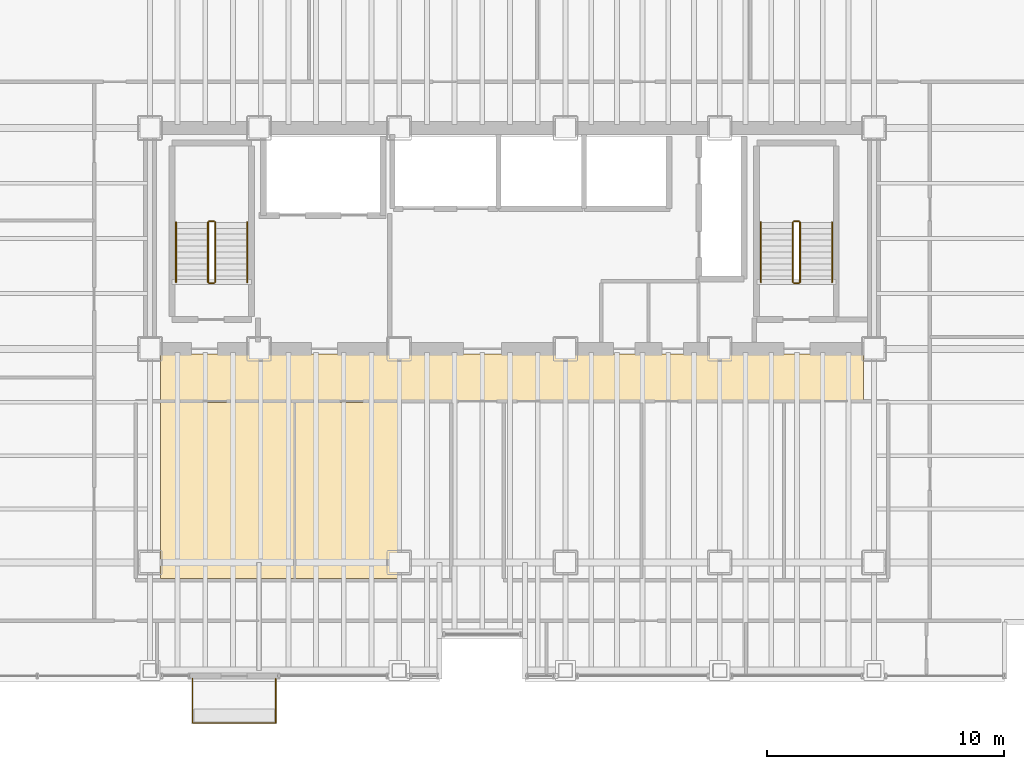
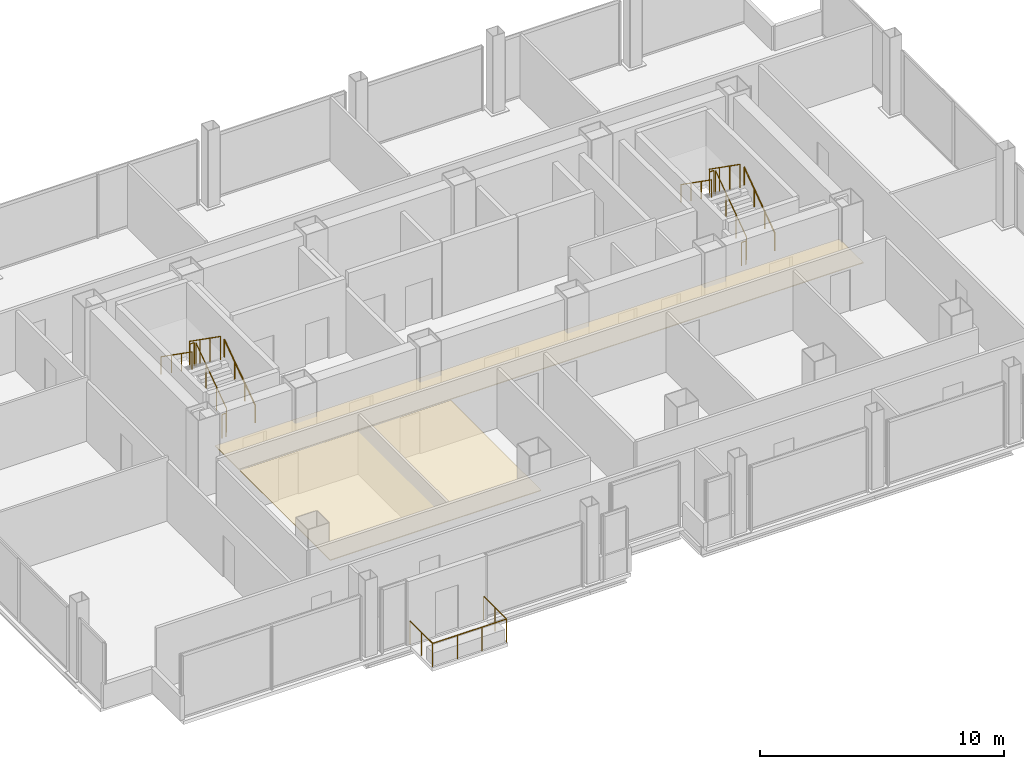
# One storey, part 21 of 21: 13 railings, 2 coverings.
"""IFC4 building model written with IfcOpenShell, lengths in metres."""

from ifc_helpers import new_model, si_unit, direction, frame, origin, origin_2d, place, context, subcontext, project, spatial, polyline, circle, outline, extrude, material, layer, layer_set, type_object, element, save


model = new_model("IFC4")

# Units and contexts
model_context = context("Model", 3, precision=1e-05, world=origin(), true_north=direction((0.0, 1.0)))
body_context = subcontext(model_context, "Body", "Model", "MODEL_VIEW")
ifc_project = project(units=[si_unit("LENGTHUNIT", "METRE"), si_unit("AREAUNIT", "SQUARE_METRE"), si_unit("VOLUMEUNIT", "CUBIC_METRE"), si_unit("PLANEANGLEUNIT", "RADIAN"), si_unit("MASSUNIT", "GRAM", prefix="KILO")], contexts=[model_context])

# Site, building, storey
site_placement = place(None, origin())
site = spatial("IfcSite", under=ifc_project, at=site_placement, CompositionType="ELEMENT")
building_placement = place(site_placement, origin())
building = spatial("IfcBuilding", under=site, at=building_placement, Name="Noeulbin Bourse Tower", CompositionType="ELEMENT")
storey_placement = place(building_placement, frame((0.0, 0.0, 34.300048828125)))
storey = spatial("IfcBuildingStorey", under=building, at=storey_placement, Name="L08", CompositionType="ELEMENT", Elevation=34.300048828125)

# Coverings
ifc_material_1 = material(Name="Perforated Mineral-Fibre Acoustic Tile")
ifc_layer_1 = layer(ifc_material_1, 0.0400390625)
ifc_layer_set_1 = layer_set([ifc_layer_1], Name="Perforated Mineral-Fibre Acoustic Tile")
covering_type = type_object("IfcCoveringType", Name="COV-CEIL-ACT", PredefinedType="CEILING", material=ifc_layer_set_1)
covering_1_placement = place(storey_placement, frame((0.0, 0.0, 2.10986328125)))
element("IfcCovering", 1, at=covering_1_placement, inside=storey, type_object=covering_type, Name="Corridor Suspended Ceiling L08", PredefinedType="CEILING", context=body_context, shape_type="SweptSolid", body=[
    extrude(outline(polyline([(13.949951171875, 26.820068359375), (43.550048828125, 26.820068359375), (43.550048828125, 28.780029296875), (13.949951171875, 28.780029296875), (13.949951171875, 26.820068359375)])), origin(), (0.0, 0.0, 1.0), 0.0400390625),
])
covering_2_placement = place(storey_placement, frame((0.0, 0.0, 2.10986328125)))
element("IfcCovering", 2, at=covering_2_placement, inside=storey, type_object=covering_type, Name="Trading Suite Acoustic Ceiling L08", PredefinedType="CEILING", context=body_context, shape_type="SweptSolid", body=[
    extrude(outline(polyline([(13.949951171875, 19.320068359375), (23.949951171875, 19.320068359375), (23.949951171875, 26.75), (13.949951171875, 26.75), (13.949951171875, 19.320068359375)])), origin(), (0.0, 0.0, 1.0), 0.0400390625),
])

# Railings
ifc_material_2 = material(Name="Laminated SentryGlas and Stainless Steel 316", Category="steel")
ifc_layer_2 = layer(ifc_material_2, 0.06005859375)
ifc_layer_set_2 = layer_set([ifc_layer_2], Name="Laminated SentryGlas and Stainless Steel 316")
railing_type_1 = type_object("IfcRailingType", Name="RLG-BAL-1200", PredefinedType="BALUSTRADE", material=ifc_layer_set_2)
railing_1_placement = place(storey_placement, frame((15.300048828125, 15.1201171875, 0.0)))
element("IfcRailing", 3, at=railing_1_placement, inside=storey, type_object=railing_type_1, Name="Tree-Balcony Glazed Balustrade L08", PredefinedType="BALUSTRADE", context=body_context, shape_type="SweptSolid", body=[
    extrude(circle(Radius=0.02392578125, at=origin_2d()), frame((0.0, 0.0, 1.17578125), z_axis=(0.0, -1.0, 0.0), x_axis=(1.0, 0.0, 0.0)), (0.0, 0.0, 1.0), 1.8701171875),
    extrude(circle(Radius=0.02392578125, at=origin_2d()), frame((0.0, -1.8701171875, 1.17578125), z_axis=(1.0, 0.0, 0.0), x_axis=(0.0, 1.0, 0.0)), (0.0, 0.0, 1.0), 3.5),
    extrude(circle(Radius=0.02392578125, at=origin_2d()), frame((3.5, -1.8701171875, 1.17578125), z_axis=(0.0, 1.0, 0.0), x_axis=(-1.0, 0.0, 0.0)), (0.0, 0.0, 1.0), 1.8701171875),
    extrude(circle(Radius=0.02099609375, at=origin_2d()), origin(), (0.0, 0.0, 1.0), 1.15185546875),
    extrude(circle(Radius=0.02099609375, at=origin_2d()), frame((0.0, -0.93505859375, 0.0)), (0.0, 0.0, 1.0), 1.15185546875),
    extrude(circle(Radius=0.02099609375, at=origin_2d()), frame((0.0, -1.8701171875, 0.0)), (0.0, 0.0, 1.0), 1.15185546875),
    extrude(circle(Radius=0.02099609375, at=origin_2d()), frame((1.166748046875, -1.8701171875, 0.0)), (0.0, 0.0, 1.0), 1.15185546875),
    extrude(circle(Radius=0.02099609375, at=origin_2d()), frame((2.333251953125, -1.8701171875, 0.0)), (0.0, 0.0, 1.0), 1.15185546875),
    extrude(circle(Radius=0.02099609375, at=origin_2d()), frame((3.5, -1.8701171875, 0.0)), (0.0, 0.0, 1.0), 1.15185546875),
    extrude(circle(Radius=0.02099609375, at=origin_2d()), frame((3.5, -0.93505859375, 0.0)), (0.0, 0.0, 1.0), 1.15185546875),
    extrude(circle(Radius=0.02099609375, at=origin_2d()), frame((3.5, 0.0, 0.0)), (0.0, 0.0, 1.0), 1.15185546875),
])
ifc_material_3 = material(Name="Painted Tubular Steel S355", Category="steel")
ifc_layer_3 = layer(ifc_material_3, 0.048095703125)
ifc_layer_set_3 = layer_set([ifc_layer_3], Name="Painted Tubular Steel S355")
railing_type_2 = type_object("IfcRailingType", Name="RLG-STR-GRD", PredefinedType="GUARDRAIL", material=ifc_layer_set_3)
railing_2_placement = place(storey_placement, frame((16.25, 31.81005859375, 0.17724609375)))
element("IfcRailing", 4, at=railing_2_placement, inside=storey, type_object=railing_type_2, Name="L08 ST-1 stair guard 1", PredefinedType="GUARDRAIL", context=body_context, shape_type="SweptSolid", body=[
    extrude(circle(Radius=0.02392578125, at=origin_2d()), frame((0.0, 0.0, 1.17578125), z_axis=(0.0, 0.817904474719, 0.575354039036), x_axis=(-1.0, 0.0, 0.0)), (0.0, 0.0, 1.0), 3.0810546875),
    extrude(circle(Radius=0.02099609375, at=origin_2d()), origin(), (0.0, 0.0, 1.0), 1.15185546875),
    extrude(circle(Radius=0.02099609375, at=origin_2d()), frame((0.0, 0.840087890625, 0.5908203125)), (0.0, 0.0, 1.0), 1.15185546875),
    extrude(circle(Radius=0.02099609375, at=origin_2d()), frame((0.0, 1.679931640625, 1.181884765625)), (0.0, 0.0, 1.0), 1.15185546875),
    extrude(circle(Radius=0.02099609375, at=origin_2d()), frame((0.0, 2.52001953125, 1.772705078125)), (0.0, 0.0, 1.0), 1.15185546875),
])
railing_3_placement = place(storey_placement, frame((16.199951171875, 34.3798828125, 1.949951171875)))
element("IfcRailing", 5, at=railing_3_placement, inside=storey, type_object=railing_type_2, Name="L08 ST-1 stair guard 2", PredefinedType="GUARDRAIL", context=body_context, shape_type="SweptSolid", body=[
    extrude(circle(Radius=0.02392578125, at=origin_2d()), frame((0.0, 0.0, 1.17578125), z_axis=(-1.0, 0.0, 0.0), x_axis=(0.0, -1.0, 0.0)), (0.0, 0.0, 1.0), 0.199951171875),
    extrude(circle(Radius=0.02099609375, at=origin_2d()), origin(), (0.0, 0.0, 1.0), 1.15185546875),
    extrude(circle(Radius=0.02099609375, at=origin_2d()), frame((-0.199951171875, 0.0, 0.0)), (0.0, 0.0, 1.0), 1.15185546875),
])
railing_4_placement = place(storey_placement, frame((15.949951171875, 34.330078125, 2.127197265625)))
element("IfcRailing", 6, at=railing_4_placement, inside=storey, type_object=railing_type_2, Name="L08 ST-1 stair guard 3", PredefinedType="GUARDRAIL", context=body_context, shape_type="SweptSolid", body=[
    extrude(circle(Radius=0.02392578125, at=origin_2d()), frame((0.0, 0.0, 1.17578125), z_axis=(0.0, -0.817904474719, 0.575354039036), x_axis=(1.0, 0.0, 0.0)), (0.0, 0.0, 1.0), 3.0810546875),
    extrude(circle(Radius=0.02099609375, at=origin_2d()), origin(), (0.0, 0.0, 1.0), 1.15185546875),
    extrude(circle(Radius=0.02099609375, at=origin_2d()), frame((0.0, -0.840087890625, 0.5908203125)), (0.0, 0.0, 1.0), 1.15185546875),
    extrude(circle(Radius=0.02099609375, at=origin_2d()), frame((0.0, -1.679931640625, 1.181884765625)), (0.0, 0.0, 1.0), 1.15185546875),
    extrude(circle(Radius=0.02099609375, at=origin_2d()), frame((0.0, -2.52001953125, 1.772705078125)), (0.0, 0.0, 1.0), 1.15185546875),
])
railing_5_placement = place(storey_placement, frame((16.199951171875, 31.760009765625, 0.0)))
element("IfcRailing", 7, at=railing_5_placement, inside=storey, type_object=railing_type_2, Name="L08 ST-1 stair guard 4", PredefinedType="GUARDRAIL", context=body_context, shape_type="SweptSolid", body=[
    extrude(circle(Radius=0.02392578125, at=origin_2d()), frame((0.0, 0.0, 1.17578125), z_axis=(-1.0, 0.0, 0.0), x_axis=(0.0, -1.0, 0.0)), (0.0, 0.0, 1.0), 0.199951171875),
    extrude(circle(Radius=0.02099609375, at=origin_2d()), origin(), (0.0, 0.0, 1.0), 1.15185546875),
    extrude(circle(Radius=0.02099609375, at=origin_2d()), frame((-0.199951171875, 0.0, 0.0)), (0.0, 0.0, 1.0), 1.15185546875),
])
railing_6_placement = place(storey_placement, frame((40.8798828125, 31.81005859375, 0.17724609375)))
element("IfcRailing", 8, at=railing_6_placement, inside=storey, type_object=railing_type_2, Name="L08 ST-2 stair guard 1", PredefinedType="GUARDRAIL", context=body_context, shape_type="SweptSolid", body=[
    extrude(circle(Radius=0.02392578125, at=origin_2d()), frame((0.0, 0.0, 1.17578125), z_axis=(0.0, 0.817904474719, 0.575354039036), x_axis=(-1.0, 0.0, 0.0)), (0.0, 0.0, 1.0), 3.0810546875),
    extrude(circle(Radius=0.02099609375, at=origin_2d()), origin(), (0.0, 0.0, 1.0), 1.15185546875),
    extrude(circle(Radius=0.02099609375, at=origin_2d()), frame((0.0, 0.840087890625, 0.5908203125)), (0.0, 0.0, 1.0), 1.15185546875),
    extrude(circle(Radius=0.02099609375, at=origin_2d()), frame((0.0, 1.679931640625, 1.181884765625)), (0.0, 0.0, 1.0), 1.15185546875),
    extrude(circle(Radius=0.02099609375, at=origin_2d()), frame((0.0, 2.52001953125, 1.772705078125)), (0.0, 0.0, 1.0), 1.15185546875),
])
railing_7_placement = place(storey_placement, frame((40.830078125, 34.3798828125, 1.949951171875)))
element("IfcRailing", 9, at=railing_7_placement, inside=storey, type_object=railing_type_2, Name="L08 ST-2 stair guard 2", PredefinedType="GUARDRAIL", context=body_context, shape_type="SweptSolid", body=[
    extrude(circle(Radius=0.02392578125, at=origin_2d()), frame((0.0, 0.0, 1.17578125), z_axis=(-1.0, 0.0, 0.0), x_axis=(0.0, -1.0, 0.0)), (0.0, 0.0, 1.0), 0.2001953125),
    extrude(circle(Radius=0.02099609375, at=origin_2d()), origin(), (0.0, 0.0, 1.0), 1.15185546875),
    extrude(circle(Radius=0.02099609375, at=origin_2d()), frame((-0.2001953125, 0.0, 0.0)), (0.0, 0.0, 1.0), 1.15185546875),
])
railing_8_placement = place(storey_placement, frame((40.580078125, 34.330078125, 2.127197265625)))
element("IfcRailing", 10, at=railing_8_placement, inside=storey, type_object=railing_type_2, Name="L08 ST-2 stair guard 3", PredefinedType="GUARDRAIL", context=body_context, shape_type="SweptSolid", body=[
    extrude(circle(Radius=0.02392578125, at=origin_2d()), frame((0.0, 0.0, 1.17578125), z_axis=(0.0, -0.817904474719, 0.575354039036), x_axis=(1.0, 0.0, 0.0)), (0.0, 0.0, 1.0), 3.0810546875),
    extrude(circle(Radius=0.02099609375, at=origin_2d()), origin(), (0.0, 0.0, 1.0), 1.15185546875),
    extrude(circle(Radius=0.02099609375, at=origin_2d()), frame((0.0, -0.840087890625, 0.5908203125)), (0.0, 0.0, 1.0), 1.15185546875),
    extrude(circle(Radius=0.02099609375, at=origin_2d()), frame((0.0, -1.679931640625, 1.181884765625)), (0.0, 0.0, 1.0), 1.15185546875),
    extrude(circle(Radius=0.02099609375, at=origin_2d()), frame((0.0, -2.52001953125, 1.772705078125)), (0.0, 0.0, 1.0), 1.15185546875),
])
railing_9_placement = place(storey_placement, frame((40.830078125, 31.760009765625, 0.0)))
element("IfcRailing", 11, at=railing_9_placement, inside=storey, type_object=railing_type_2, Name="L08 ST-2 stair guard 4", PredefinedType="GUARDRAIL", context=body_context, shape_type="SweptSolid", body=[
    extrude(circle(Radius=0.02392578125, at=origin_2d()), frame((0.0, 0.0, 1.17578125), z_axis=(-1.0, 0.0, 0.0), x_axis=(0.0, -1.0, 0.0)), (0.0, 0.0, 1.0), 0.2001953125),
    extrude(circle(Radius=0.02099609375, at=origin_2d()), origin(), (0.0, 0.0, 1.0), 1.15185546875),
    extrude(circle(Radius=0.02099609375, at=origin_2d()), frame((-0.2001953125, 0.0, 0.0)), (0.0, 0.0, 1.0), 1.15185546875),
])
ifc_material_4 = material(Name="Brushed Stainless Steel 316", Category="steel")
ifc_layer_4 = layer(ifc_material_4, 0.048095703125)
ifc_layer_set_4 = layer_set([ifc_layer_4], Name="Brushed Stainless Steel 316")
railing_type_3 = type_object("IfcRailingType", Name="RLG-STR-HND", PredefinedType="HANDRAIL", material=ifc_layer_set_4)
railing_10_placement = place(storey_placement, frame((17.60009765625, 31.81005859375, 0.17724609375)))
element("IfcRailing", 12, at=railing_10_placement, inside=storey, type_object=railing_type_3, Name="L08 ST-1 stair handrail 1", PredefinedType="HANDRAIL", context=body_context, shape_type="SweptSolid", body=[
    extrude(circle(Radius=0.02392578125, at=origin_2d()), frame((0.0, 0.0, 0.8759765625), z_axis=(0.0, 0.817904474719, 0.575354039036), x_axis=(-1.0, 0.0, 0.0)), (0.0, 0.0, 1.0), 3.0810546875),
    extrude(circle(Radius=0.02099609375, at=origin_2d()), origin(), (0.0, 0.0, 1.0), 0.851806640625),
    extrude(circle(Radius=0.02099609375, at=origin_2d()), frame((0.0, 0.840087890625, 0.5908203125)), (0.0, 0.0, 1.0), 0.851806640625),
    extrude(circle(Radius=0.02099609375, at=origin_2d()), frame((0.0, 1.679931640625, 1.181884765625)), (0.0, 0.0, 1.0), 0.851806640625),
    extrude(circle(Radius=0.02099609375, at=origin_2d()), frame((0.0, 2.52001953125, 1.772705078125)), (0.0, 0.0, 1.0), 0.851806640625),
])
railing_11_placement = place(storey_placement, frame((14.60009765625, 34.330078125, 2.127197265625)))
element("IfcRailing", 13, at=railing_11_placement, inside=storey, type_object=railing_type_3, Name="L08 ST-1 stair handrail 2", PredefinedType="HANDRAIL", context=body_context, shape_type="SweptSolid", body=[
    extrude(circle(Radius=0.02392578125, at=origin_2d()), frame((0.0, 0.0, 0.8759765625), z_axis=(0.0, -0.817904474719, 0.575354039036), x_axis=(1.0, 0.0, 0.0)), (0.0, 0.0, 1.0), 3.0810546875),
    extrude(circle(Radius=0.02099609375, at=origin_2d()), origin(), (0.0, 0.0, 1.0), 0.851806640625),
    extrude(circle(Radius=0.02099609375, at=origin_2d()), frame((0.0, -0.840087890625, 0.5908203125)), (0.0, 0.0, 1.0), 0.851806640625),
    extrude(circle(Radius=0.02099609375, at=origin_2d()), frame((0.0, -1.679931640625, 1.181884765625)), (0.0, 0.0, 1.0), 0.851806640625),
    extrude(circle(Radius=0.02099609375, at=origin_2d()), frame((0.0, -2.52001953125, 1.772705078125)), (0.0, 0.0, 1.0), 0.851806640625),
])
railing_12_placement = place(storey_placement, frame((42.22998046875, 31.81005859375, 0.17724609375)))
element("IfcRailing", 14, at=railing_12_placement, inside=storey, type_object=railing_type_3, Name="L08 ST-2 stair handrail 1", PredefinedType="HANDRAIL", context=body_context, shape_type="SweptSolid", body=[
    extrude(circle(Radius=0.02392578125, at=origin_2d()), frame((0.0, 0.0, 0.8759765625), z_axis=(0.0, 0.817904474719, 0.575354039036), x_axis=(-1.0, 0.0, 0.0)), (0.0, 0.0, 1.0), 3.0810546875),
    extrude(circle(Radius=0.02099609375, at=origin_2d()), origin(), (0.0, 0.0, 1.0), 0.851806640625),
    extrude(circle(Radius=0.02099609375, at=origin_2d()), frame((0.0, 0.840087890625, 0.5908203125)), (0.0, 0.0, 1.0), 0.851806640625),
    extrude(circle(Radius=0.02099609375, at=origin_2d()), frame((0.0, 1.679931640625, 1.181884765625)), (0.0, 0.0, 1.0), 0.851806640625),
    extrude(circle(Radius=0.02099609375, at=origin_2d()), frame((0.0, 2.52001953125, 1.772705078125)), (0.0, 0.0, 1.0), 0.851806640625),
])
railing_13_placement = place(storey_placement, frame((39.22998046875, 34.330078125, 2.127197265625)))
element("IfcRailing", 15, at=railing_13_placement, inside=storey, type_object=railing_type_3, Name="L08 ST-2 stair handrail 2", PredefinedType="HANDRAIL", context=body_context, shape_type="SweptSolid", body=[
    extrude(circle(Radius=0.02392578125, at=origin_2d()), frame((0.0, 0.0, 0.8759765625), z_axis=(0.0, -0.817904474719, 0.575354039036), x_axis=(1.0, 0.0, 0.0)), (0.0, 0.0, 1.0), 3.0810546875),
    extrude(circle(Radius=0.02099609375, at=origin_2d()), origin(), (0.0, 0.0, 1.0), 0.851806640625),
    extrude(circle(Radius=0.02099609375, at=origin_2d()), frame((0.0, -0.840087890625, 0.5908203125)), (0.0, 0.0, 1.0), 0.851806640625),
    extrude(circle(Radius=0.02099609375, at=origin_2d()), frame((0.0, -1.679931640625, 1.181884765625)), (0.0, 0.0, 1.0), 0.851806640625),
    extrude(circle(Radius=0.02099609375, at=origin_2d()), frame((0.0, -2.52001953125, 1.772705078125)), (0.0, 0.0, 1.0), 0.851806640625),
])

save(model, "model.ifc")
